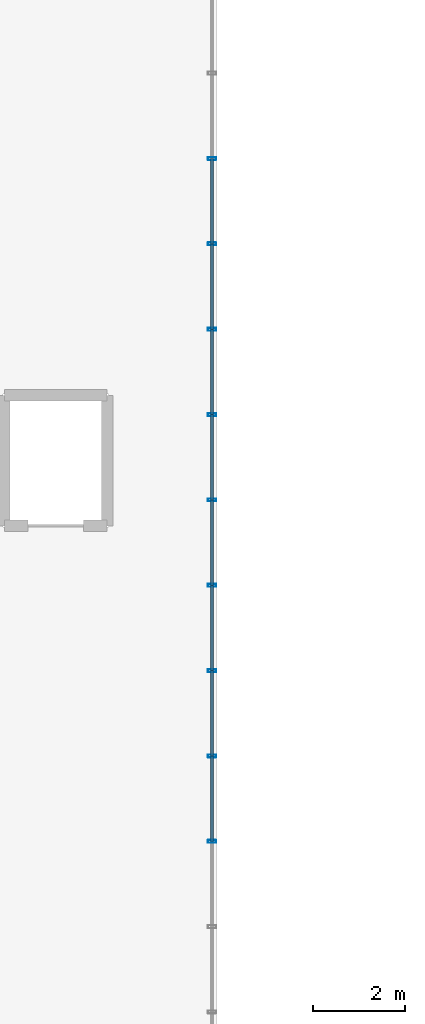
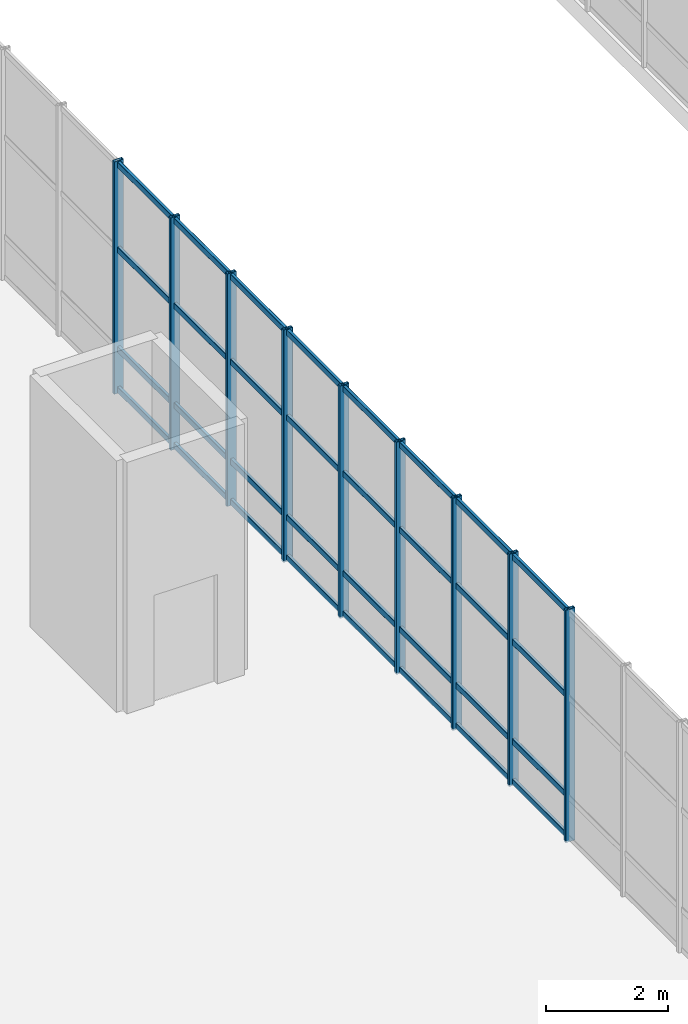
# One storey, part 105 of 176: 41 members, 2 elements without a shape of their own.
"""IFC4 building model written with IfcOpenShell, lengths in metres."""

import ifcopenshell
import ifcopenshell.guid

model = None  # the IFC model being written
_history = None  # IfcOwnerHistory: only IFC2X3 demands one
_inside = {}  # id of a spatial element -> (the spatial element, [elements in it])
_under = {}  # id of a project, library or spatial element -> (it, [spatial elements below it])
_declared = {}  # id of a project -> (the project, [libraries it declares])
_typed = {}  # id of a type object -> (the type object, [elements of that type])
_made_of = {}  # id of a material, layer set ... -> (it, [elements and type objects made of it])


def new_model(schema):
    """Start an empty IFC model of exactly this schema.

    Asked for "IFC4X3", IfcOpenShell would pick the latest addendum, in which some entities
    have other attributes; the version numbers below select the first issue.
    IFC2X3 requires an IfcOwnerHistory on every rooted entity: one is made here for all.
    """
    global model, _history
    if schema == "IFC4X3":
        model = ifcopenshell.file(schema_version=(4, 3, 0, 0))
    else:
        model = ifcopenshell.file(schema=schema)
    _inside.clear()
    _under.clear()
    _declared.clear()
    _typed.clear()
    _made_of.clear()
    _history = None
    if model.schema == "IFC2X3":
        org = make("IfcOrganization", Name="unknown")
        user = make(
            "IfcPersonAndOrganization",
            ThePerson=make("IfcPerson", FamilyName="unknown"),
            TheOrganization=org,
        )
        app = make(
            "IfcApplication",
            ApplicationDeveloper=org,
            Version="unknown",
            ApplicationFullName="unknown",
            ApplicationIdentifier="unknown",
        )
        _history = make(
            "IfcOwnerHistory",
            OwningUser=user,
            OwningApplication=app,
            ChangeAction="ADDED",
            CreationDate=0,
        )
    return model


def make(cls, **values):
    """One entity of the class cls with the attributes given. An attribute that is None is left unset."""
    return model.create_entity(
        cls, **{name: value for name, value in values.items() if value is not None}
    )


def rooted(cls, **values):
    """An entity with a GlobalId (a new one), such as an element, a storey or a relation."""
    return make(cls, GlobalId=ifcopenshell.guid.new(), OwnerHistory=_history, **values)


def si_unit(unit_type, name, prefix=None):
    """IfcSIUnit, for example si_unit("LENGTHUNIT", "METRE", prefix="MILLI")."""
    return make("IfcSIUnit", UnitType=unit_type, Prefix=prefix, Name=name)


def assignment(units):
    """IfcUnitAssignment: the units of a project."""
    return None if units is None else make("IfcUnitAssignment", Units=units)


def point(xyz):
    """IfcCartesianPoint."""
    return None if xyz is None else make("IfcCartesianPoint", Coordinates=xyz)


def direction(xyz):
    """IfcDirection."""
    return None if xyz is None else make("IfcDirection", DirectionRatios=xyz)


def frame(location, z_axis=None, x_axis=None):
    """IfcAxis2Placement3D, a coordinate frame: its origin and axes. An axis left out is left unset."""
    return make(
        "IfcAxis2Placement3D",
        Location=point(location),
        Axis=direction(z_axis),
        RefDirection=direction(x_axis),
    )


def frame_2d(location, x_axis=None):
    """IfcAxis2Placement2D, a coordinate frame in the plane: its origin and x axis."""
    return make(
        "IfcAxis2Placement2D", Location=point(location), RefDirection=direction(x_axis)
    )


def origin():
    """The frame at (0, 0, 0) with its axes left unset."""
    return frame((0.0, 0.0, 0.0))


def origin_2d():
    """The frame at (0, 0) in the plane with its x axis left unset."""
    return frame_2d((0.0, 0.0))


def place(relative_to, where):
    """IfcLocalPlacement: puts the frame where relative to a parent placement (None: the world)."""
    return make(
        "IfcLocalPlacement", PlacementRelTo=relative_to, RelativePlacement=where
    )


def context(
    kind, dimensions, precision=None, world=None, true_north=None, identifier=None
):
    """IfcGeometricRepresentationContext, for example the 3D "Model" context."""
    return make(
        "IfcGeometricRepresentationContext",
        ContextIdentifier=identifier,
        ContextType=kind,
        CoordinateSpaceDimension=dimensions,
        Precision=precision,
        WorldCoordinateSystem=world,
        TrueNorth=true_north,
    )


def subcontext(parent, identifier, kind, view, scale=None):
    """IfcGeometricRepresentationSubContext, for example "Body" below "Model"."""
    return make(
        "IfcGeometricRepresentationSubContext",
        ContextIdentifier=identifier,
        ContextType=kind,
        ParentContext=parent,
        TargetScale=scale,
        TargetView=view,
    )


def project(units=None, contexts=None):
    """IfcProject with its units and contexts."""
    return rooted(
        "IfcProject",
        Name="project",
        RepresentationContexts=contexts,
        UnitsInContext=assignment(units),
    )


def spatial(cls, under=None, at=None, **own):
    """A site, building, storey or space (cls), placed at a placement, below another one or the project."""
    s = rooted(cls, ObjectPlacement=at, **own)
    if under is not None:
        _under.setdefault(under.id(), (under, []))[1].append(s)
    return s


def profile(cls, at=None, kind="AREA", **sizes):
    """A parametric profile (cls). Its sizes go by their IFC names, for example OverallWidth=200.0."""
    return make(cls, ProfileType=kind, Position=at, **sizes)


def hollow_rectangle(**sizes):
    """IfcRectangleHollowProfileDef."""
    return profile("IfcRectangleHollowProfileDef", **sizes)


def extrude(swept, where, along, depth):
    """IfcExtrudedAreaSolid: the profile swept, set in the frame where, extruded along a direction by depth."""
    return make(
        "IfcExtrudedAreaSolid",
        SweptArea=swept,
        Position=where,
        ExtrudedDirection=direction(along),
        Depth=depth,
    )


def shape(context_of_items, identifier, shape_type, items):
    """IfcShapeRepresentation: the items that make up one representation, for example the "Body"."""
    return make(
        "IfcShapeRepresentation",
        ContextOfItems=context_of_items,
        RepresentationIdentifier=identifier,
        RepresentationType=shape_type,
        Items=items,
    )


def material(Name=None, Category=None):
    """IfcMaterial."""
    return make("IfcMaterial", Name=Name, Category=Category)


def layer(
    of_material, thickness, ventilated=None, Name=None, Category=None, Priority=None
):
    """IfcMaterialLayer: one layer of a wall or slab, of a material (None: an air gap)."""
    return make(
        "IfcMaterialLayer",
        Material=of_material,
        LayerThickness=thickness,
        IsVentilated=ventilated,
        Name=Name,
        Category=Category,
        Priority=Priority,
    )


def layer_set(layers, Name=None):
    """IfcMaterialLayerSet."""
    return make("IfcMaterialLayerSet", MaterialLayers=layers, LayerSetName=Name)


def material_profile(
    of_material, cross_section, Name=None, Category=None, Priority=None
):
    """IfcMaterialProfile: a cross section and its material."""
    return make(
        "IfcMaterialProfile",
        Name=Name,
        Material=of_material,
        Profile=cross_section,
        Priority=Priority,
        Category=Category,
    )


def profile_set(profiles, Name=None, composite=None):
    """IfcMaterialProfileSet."""
    return make(
        "IfcMaterialProfileSet",
        Name=Name,
        MaterialProfiles=profiles,
        CompositeProfile=composite,
    )


def made_of(thing, what):
    """Note that an element or type object is made of a material, layer set ...; save() writes the relation."""
    if what is not None:
        _made_of.setdefault(what.id(), (what, []))[1].append(thing)
    return thing


def type_object(cls, material=None, **own):
    """A type object (cls), such as IfcWallType, which elements share."""
    return made_of(rooted(cls, **own), material)


def element(
    cls,
    number,
    at=None,
    inside=None,
    cuts=None,
    type_object=None,
    material=None,
    context=None,
    identifier="Body",
    shape_type=None,
    held_by="IfcProductDefinitionShape",
    body=None,
    shapes=None,
    **own,
):
    """One element of the class cls, such as IfcWall. Its Tag is "e" and its number.

    at: its placement. inside: the storey or other place that contains it. cuts: it is an
    opening in that element (IfcRelVoidsElement). A single representation is given by context,
    identifier, shape_type and body (its items); several are given by shapes. held_by: the class
    of the entity that holds the representations. save() writes the other relations.
    """
    e = rooted(cls, Tag="e%d" % number, ObjectPlacement=at, **own)
    if body is not None:
        shapes = [shape(context, identifier, shape_type, body)]
    if shapes is not None:
        e.Representation = make(held_by, Representations=shapes)
    if inside is not None:
        _inside.setdefault(inside.id(), (inside, []))[1].append(e)
    if cuts is not None:
        rooted(
            "IfcRelVoidsElement", RelatingBuildingElement=cuts, RelatedOpeningElement=e
        )
    if type_object is not None:
        _typed.setdefault(type_object.id(), (type_object, []))[1].append(e)
    return made_of(e, material)


def aggregate(whole, parts):
    """IfcRelAggregates: a whole, such as a stair, and the parts it consists of."""
    return rooted("IfcRelAggregates", RelatingObject=whole, RelatedObjects=parts)


def save(model, path):
    """Write the relations noted so far, then the file.

    IfcRelAggregates (storeys below a building ...), IfcRelContainedInSpatialStructure (elements
    in a storey), IfcRelDefinesByType, IfcRelAssociatesMaterial and IfcRelDeclares: one each for
    every whole, place, type object, material and project.
    """
    for whole, parts in _under.values():
        aggregate(whole, parts)
    for where, things in _inside.values():
        rooted(
            "IfcRelContainedInSpatialStructure",
            RelatedElements=things,
            RelatingStructure=where,
        )
    for kind, things in _typed.values():
        rooted("IfcRelDefinesByType", RelatedObjects=things, RelatingType=kind)
    for what, things in _made_of.values():
        rooted("IfcRelAssociatesMaterial", RelatedObjects=things, RelatingMaterial=what)
    for by, libraries in _declared.values():
        rooted("IfcRelDeclares", RelatingContext=by, RelatedDefinitions=libraries)
    model.write(path)


model = new_model("IFC4")

# Units and contexts
model_context = context("Model", 3, precision=1e-05, world=origin(), true_north=direction((0.0, 1.0)))
body_context = subcontext(model_context, "Body", "Model", "MODEL_VIEW")
ifc_project = project(units=[si_unit("LENGTHUNIT", "METRE"), si_unit("AREAUNIT", "SQUARE_METRE"), si_unit("VOLUMEUNIT", "CUBIC_METRE"), si_unit("PLANEANGLEUNIT", "RADIAN"), si_unit("MASSUNIT", "GRAM", prefix="KILO")], contexts=[model_context])

# Site, building, storey
site_placement = place(None, origin())
site = spatial("IfcSite", under=ifc_project, at=site_placement, CompositionType="ELEMENT")
building_placement = place(site_placement, origin())
building = spatial("IfcBuilding", under=site, at=building_placement, Name="Khorjan Park Terminus", CompositionType="ELEMENT")
storey_placement = place(building_placement, frame((0.0, 0.0, 6.0)))
storey = spatial("IfcBuildingStorey", under=building, at=storey_placement, Name="L01", CompositionType="ELEMENT", Elevation=6.0)

# Curtain wall, members
ifc_material = material(Name="Anodized Bronze Aluminium", Category="aluminium")
ifc_layer = layer(ifc_material, 0.22)
ifc_layer_set = layer_set([ifc_layer], Name="Anodized Bronze Aluminium")
curtain_wall_type = type_object("IfcCurtainWallType", Name="CW-BRG-D", PredefinedType="NOTDEFINED", material=ifc_layer_set)
curtain_wall_1_placement = place(storey_placement, origin())
curtain_wall_1 = element("IfcCurtainWall", 1, at=curtain_wall_1_placement, inside=storey, type_object=curtain_wall_type, Name="Unitized curtain wall CW-D (CW-BRW-E-2)", PredefinedType="NOTDEFINED")
ifc_material_profile_1 = material_profile(ifc_material, hollow_rectangle(XDim=0.065, YDim=0.18, WallThickness=0.004, InnerFilletRadius=0.004, OuterFilletRadius=0.008, at=origin_2d()), Name="ALM 65x180x4")
ifc_profile_set_1 = profile_set([ifc_material_profile_1], Name="Anodized Bronze Aluminium")
member_type_1 = type_object("IfcMemberType", Name="ML-ALM-180", PredefinedType="MULLION", material=ifc_profile_set_1)
member_1_placement = place(storey_placement, frame((85.9, 118.7143, -0.035), z_axis=(0.0, 0.0, 1.0), x_axis=(0.0, 1.0, 0.0)))
member_1 = element("IfcMember", 2, at=member_1_placement, type_object=member_type_1, Name="Curtain-wall mullion ML-18 (CW-BRW-E-2-2)", PredefinedType="MULLION", context=body_context, shape_type="SweptSolid", body=[
    extrude(hollow_rectangle(XDim=0.065, YDim=0.18, WallThickness=0.004, InnerFilletRadius=0.004, OuterFilletRadius=0.008, at=origin_2d()), origin(), (0.0, 0.0, 1.0), 4.67),
])
member_2_placement = place(storey_placement, frame((85.9, 120.5714, -0.035), z_axis=(0.0, 0.0, 1.0), x_axis=(0.0, 1.0, 0.0)))
member_2 = element("IfcMember", 3, at=member_2_placement, type_object=member_type_1, Name="Curtain-wall mullion ML-18 (CW-BRW-E-2-3)", PredefinedType="MULLION", context=body_context, shape_type="SweptSolid", body=[
    extrude(hollow_rectangle(XDim=0.065, YDim=0.18, WallThickness=0.004, InnerFilletRadius=0.004, OuterFilletRadius=0.008, at=origin_2d()), origin(), (0.0, 0.0, 1.0), 4.67),
])
member_3_placement = place(storey_placement, frame((85.9, 122.4286, -0.035), z_axis=(0.0, 0.0, 1.0), x_axis=(0.0, 1.0, 0.0)))
member_3 = element("IfcMember", 4, at=member_3_placement, type_object=member_type_1, Name="Curtain-wall mullion ML-18 (CW-BRW-E-2-4)", PredefinedType="MULLION", context=body_context, shape_type="SweptSolid", body=[
    extrude(hollow_rectangle(XDim=0.065, YDim=0.18, WallThickness=0.004, InnerFilletRadius=0.004, OuterFilletRadius=0.008, at=origin_2d()), origin(), (0.0, 0.0, 1.0), 4.67),
])
member_4_placement = place(storey_placement, frame((85.9, 124.2857, -0.035), z_axis=(0.0, 0.0, 1.0), x_axis=(0.0, 1.0, 0.0)))
member_4 = element("IfcMember", 5, at=member_4_placement, type_object=member_type_1, Name="Curtain-wall mullion ML-18 (CW-BRW-E-2-5)", PredefinedType="MULLION", context=body_context, shape_type="SweptSolid", body=[
    extrude(hollow_rectangle(XDim=0.065, YDim=0.18, WallThickness=0.004, InnerFilletRadius=0.004, OuterFilletRadius=0.008, at=origin_2d()), origin(), (0.0, 0.0, 1.0), 4.67),
])
member_5_placement = place(storey_placement, frame((85.9, 126.1429, -0.035), z_axis=(0.0, 0.0, 1.0), x_axis=(0.0, 1.0, 0.0)))
member_5 = element("IfcMember", 6, at=member_5_placement, type_object=member_type_1, Name="Curtain-wall mullion ML-18 (CW-BRW-E-2-6)", PredefinedType="MULLION", context=body_context, shape_type="SweptSolid", body=[
    extrude(hollow_rectangle(XDim=0.065, YDim=0.18, WallThickness=0.004, InnerFilletRadius=0.004, OuterFilletRadius=0.008, at=origin_2d()), origin(), (0.0, 0.0, 1.0), 4.67),
])
member_6_placement = place(storey_placement, frame((85.9, 128.0, -0.035), z_axis=(0.0, 0.0, 1.0), x_axis=(0.0, 1.0, 0.0)))
member_6 = element("IfcMember", 7, at=member_6_placement, type_object=member_type_1, Name="Curtain-wall mullion ML-18 (CW-BRW-E-2-7)", PredefinedType="MULLION", context=body_context, shape_type="SweptSolid", body=[
    extrude(hollow_rectangle(XDim=0.065, YDim=0.18, WallThickness=0.004, InnerFilletRadius=0.004, OuterFilletRadius=0.008, at=origin_2d()), origin(), (0.0, 0.0, 1.0), 4.67),
])

curtain_wall_2_placement = place(storey_placement, origin())
curtain_wall_2 = element("IfcCurtainWall", 8, at=curtain_wall_2_placement, inside=storey, type_object=curtain_wall_type, Name="Unitized curtain wall CW-D (CW-BRW-E-3)", PredefinedType="NOTDEFINED")
member_7_placement = place(storey_placement, frame((85.9, 129.8571, -0.035), z_axis=(0.0, 0.0, 1.0), x_axis=(0.0, 1.0, 0.0)))
member_7 = element("IfcMember", 9, at=member_7_placement, type_object=member_type_1, Name="Curtain-wall mullion ML-18 (CW-BRW-E-3-1)", PredefinedType="MULLION", context=body_context, shape_type="SweptSolid", body=[
    extrude(hollow_rectangle(XDim=0.065, YDim=0.18, WallThickness=0.004, InnerFilletRadius=0.004, OuterFilletRadius=0.008, at=origin_2d()), origin(), (0.0, 0.0, 1.0), 4.67),
])
member_8_placement = place(storey_placement, frame((85.9, 131.7143, -0.035), z_axis=(0.0, 0.0, 1.0), x_axis=(0.0, 1.0, 0.0)))
member_8 = element("IfcMember", 10, at=member_8_placement, type_object=member_type_1, Name="Curtain-wall mullion ML-18 (CW-BRW-E-3-2)", PredefinedType="MULLION", context=body_context, shape_type="SweptSolid", body=[
    extrude(hollow_rectangle(XDim=0.065, YDim=0.18, WallThickness=0.004, InnerFilletRadius=0.004, OuterFilletRadius=0.008, at=origin_2d()), origin(), (0.0, 0.0, 1.0), 4.67),
])
member_9_placement = place(storey_placement, frame((85.9, 133.5714, -0.035), z_axis=(0.0, 0.0, 1.0), x_axis=(0.0, 1.0, 0.0)))
member_9 = element("IfcMember", 11, at=member_9_placement, type_object=member_type_1, Name="Curtain-wall mullion ML-18 (CW-BRW-E-3-3)", PredefinedType="MULLION", context=body_context, shape_type="SweptSolid", body=[
    extrude(hollow_rectangle(XDim=0.065, YDim=0.18, WallThickness=0.004, InnerFilletRadius=0.004, OuterFilletRadius=0.008, at=origin_2d()), origin(), (0.0, 0.0, 1.0), 4.67),
])

# Member
ifc_material_profile_2 = material_profile(ifc_material, hollow_rectangle(XDim=0.06, YDim=0.12, WallThickness=0.004, InnerFilletRadius=0.004, OuterFilletRadius=0.008, at=origin_2d()), Name="ALT 60x120x4")
ifc_profile_set_2 = profile_set([ifc_material_profile_2], Name="Anodized Bronze Aluminium")
member_type_2 = type_object("IfcMemberType", Name="TR-ALT-120", PredefinedType="USERDEFINED", material=ifc_profile_set_2)
member_10_placement = place(storey_placement, frame((85.9, 118.7143, 0.04), z_axis=(0.0, 1.0, 0.0), x_axis=(-1.0, 0.0, 0.0)))
member_10 = element("IfcMember", 12, at=member_10_placement, type_object=member_type_2, Name="Curtain-wall transom TR-12 (CW-BRW-E-2-2-1)", ObjectType="TRANSOM", PredefinedType="USERDEFINED", context=body_context, shape_type="SweptSolid", body=[
    extrude(hollow_rectangle(XDim=0.06, YDim=0.12, WallThickness=0.004, InnerFilletRadius=0.004, OuterFilletRadius=0.008, at=origin_2d()), origin(), (0.0, 0.0, 1.0), 1.8571),
])

member_11_placement = place(storey_placement, frame((85.9, 118.7143, 0.85), z_axis=(0.0, 1.0, 0.0), x_axis=(-1.0, 0.0, 0.0)))
member_11 = element("IfcMember", 13, at=member_11_placement, type_object=member_type_2, Name="Curtain-wall transom TR-12 (CW-BRW-E-2-2-2)", ObjectType="TRANSOM", PredefinedType="USERDEFINED", context=body_context, shape_type="SweptSolid", body=[
    extrude(hollow_rectangle(XDim=0.06, YDim=0.12, WallThickness=0.004, InnerFilletRadius=0.004, OuterFilletRadius=0.008, at=origin_2d()), origin(), (0.0, 0.0, 1.0), 1.8571),
])

member_12_placement = place(storey_placement, frame((85.9, 118.7143, 2.852), z_axis=(0.0, 1.0, 0.0), x_axis=(-1.0, 0.0, 0.0)))
member_12 = element("IfcMember", 14, at=member_12_placement, type_object=member_type_2, Name="Curtain-wall transom TR-12 (CW-BRW-E-2-2-3)", ObjectType="TRANSOM", PredefinedType="USERDEFINED", context=body_context, shape_type="SweptSolid", body=[
    extrude(hollow_rectangle(XDim=0.06, YDim=0.12, WallThickness=0.004, InnerFilletRadius=0.004, OuterFilletRadius=0.008, at=origin_2d()), origin(), (0.0, 0.0, 1.0), 1.8571),
])

member_13_placement = place(storey_placement, frame((85.9, 118.7143, 4.56), z_axis=(0.0, 1.0, 0.0), x_axis=(-1.0, 0.0, 0.0)))
member_13 = element("IfcMember", 15, at=member_13_placement, type_object=member_type_2, Name="Curtain-wall transom TR-12 (CW-BRW-E-2-2-4)", ObjectType="TRANSOM", PredefinedType="USERDEFINED", context=body_context, shape_type="SweptSolid", body=[
    extrude(hollow_rectangle(XDim=0.06, YDim=0.12, WallThickness=0.004, InnerFilletRadius=0.004, OuterFilletRadius=0.008, at=origin_2d()), origin(), (0.0, 0.0, 1.0), 1.8571),
])

member_14_placement = place(storey_placement, frame((85.9, 120.5714, 0.04), z_axis=(0.0, 1.0, 0.0), x_axis=(-1.0, 0.0, 0.0)))
member_14 = element("IfcMember", 16, at=member_14_placement, type_object=member_type_2, Name="Curtain-wall transom TR-12 (CW-BRW-E-2-3-1)", ObjectType="TRANSOM", PredefinedType="USERDEFINED", context=body_context, shape_type="SweptSolid", body=[
    extrude(hollow_rectangle(XDim=0.06, YDim=0.12, WallThickness=0.004, InnerFilletRadius=0.004, OuterFilletRadius=0.008, at=origin_2d()), origin(), (0.0, 0.0, 1.0), 1.8572),
])

member_15_placement = place(storey_placement, frame((85.9, 120.5714, 0.85), z_axis=(0.0, 1.0, 0.0), x_axis=(-1.0, 0.0, 0.0)))
member_15 = element("IfcMember", 17, at=member_15_placement, type_object=member_type_2, Name="Curtain-wall transom TR-12 (CW-BRW-E-2-3-2)", ObjectType="TRANSOM", PredefinedType="USERDEFINED", context=body_context, shape_type="SweptSolid", body=[
    extrude(hollow_rectangle(XDim=0.06, YDim=0.12, WallThickness=0.004, InnerFilletRadius=0.004, OuterFilletRadius=0.008, at=origin_2d()), origin(), (0.0, 0.0, 1.0), 1.8572),
])

member_16_placement = place(storey_placement, frame((85.9, 120.5714, 2.852), z_axis=(0.0, 1.0, 0.0), x_axis=(-1.0, 0.0, 0.0)))
member_16 = element("IfcMember", 18, at=member_16_placement, type_object=member_type_2, Name="Curtain-wall transom TR-12 (CW-BRW-E-2-3-3)", ObjectType="TRANSOM", PredefinedType="USERDEFINED", context=body_context, shape_type="SweptSolid", body=[
    extrude(hollow_rectangle(XDim=0.06, YDim=0.12, WallThickness=0.004, InnerFilletRadius=0.004, OuterFilletRadius=0.008, at=origin_2d()), origin(), (0.0, 0.0, 1.0), 1.8572),
])

member_17_placement = place(storey_placement, frame((85.9, 120.5714, 4.56), z_axis=(0.0, 1.0, 0.0), x_axis=(-1.0, 0.0, 0.0)))
member_17 = element("IfcMember", 19, at=member_17_placement, type_object=member_type_2, Name="Curtain-wall transom TR-12 (CW-BRW-E-2-3-4)", ObjectType="TRANSOM", PredefinedType="USERDEFINED", context=body_context, shape_type="SweptSolid", body=[
    extrude(hollow_rectangle(XDim=0.06, YDim=0.12, WallThickness=0.004, InnerFilletRadius=0.004, OuterFilletRadius=0.008, at=origin_2d()), origin(), (0.0, 0.0, 1.0), 1.8572),
])

member_18_placement = place(storey_placement, frame((85.9, 122.4286, 0.04), z_axis=(0.0, 1.0, 0.0), x_axis=(-1.0, 0.0, 0.0)))
member_18 = element("IfcMember", 20, at=member_18_placement, type_object=member_type_2, Name="Curtain-wall transom TR-12 (CW-BRW-E-2-4-1)", ObjectType="TRANSOM", PredefinedType="USERDEFINED", context=body_context, shape_type="SweptSolid", body=[
    extrude(hollow_rectangle(XDim=0.06, YDim=0.12, WallThickness=0.004, InnerFilletRadius=0.004, OuterFilletRadius=0.008, at=origin_2d()), origin(), (0.0, 0.0, 1.0), 1.8571),
])

member_19_placement = place(storey_placement, frame((85.9, 122.4286, 0.85), z_axis=(0.0, 1.0, 0.0), x_axis=(-1.0, 0.0, 0.0)))
member_19 = element("IfcMember", 21, at=member_19_placement, type_object=member_type_2, Name="Curtain-wall transom TR-12 (CW-BRW-E-2-4-2)", ObjectType="TRANSOM", PredefinedType="USERDEFINED", context=body_context, shape_type="SweptSolid", body=[
    extrude(hollow_rectangle(XDim=0.06, YDim=0.12, WallThickness=0.004, InnerFilletRadius=0.004, OuterFilletRadius=0.008, at=origin_2d()), origin(), (0.0, 0.0, 1.0), 1.8571),
])

member_20_placement = place(storey_placement, frame((85.9, 122.4286, 2.852), z_axis=(0.0, 1.0, 0.0), x_axis=(-1.0, 0.0, 0.0)))
member_20 = element("IfcMember", 22, at=member_20_placement, type_object=member_type_2, Name="Curtain-wall transom TR-12 (CW-BRW-E-2-4-3)", ObjectType="TRANSOM", PredefinedType="USERDEFINED", context=body_context, shape_type="SweptSolid", body=[
    extrude(hollow_rectangle(XDim=0.06, YDim=0.12, WallThickness=0.004, InnerFilletRadius=0.004, OuterFilletRadius=0.008, at=origin_2d()), origin(), (0.0, 0.0, 1.0), 1.8571),
])

member_21_placement = place(storey_placement, frame((85.9, 122.4286, 4.56), z_axis=(0.0, 1.0, 0.0), x_axis=(-1.0, 0.0, 0.0)))
member_21 = element("IfcMember", 23, at=member_21_placement, type_object=member_type_2, Name="Curtain-wall transom TR-12 (CW-BRW-E-2-4-4)", ObjectType="TRANSOM", PredefinedType="USERDEFINED", context=body_context, shape_type="SweptSolid", body=[
    extrude(hollow_rectangle(XDim=0.06, YDim=0.12, WallThickness=0.004, InnerFilletRadius=0.004, OuterFilletRadius=0.008, at=origin_2d()), origin(), (0.0, 0.0, 1.0), 1.8571),
])

member_22_placement = place(storey_placement, frame((85.9, 124.2857, 0.04), z_axis=(0.0, 1.0, 0.0), x_axis=(-1.0, 0.0, 0.0)))
member_22 = element("IfcMember", 24, at=member_22_placement, type_object=member_type_2, Name="Curtain-wall transom TR-12 (CW-BRW-E-2-5-1)", ObjectType="TRANSOM", PredefinedType="USERDEFINED", context=body_context, shape_type="SweptSolid", body=[
    extrude(hollow_rectangle(XDim=0.06, YDim=0.12, WallThickness=0.004, InnerFilletRadius=0.004, OuterFilletRadius=0.008, at=origin_2d()), origin(), (0.0, 0.0, 1.0), 1.8572),
])

member_23_placement = place(storey_placement, frame((85.9, 124.2857, 0.85), z_axis=(0.0, 1.0, 0.0), x_axis=(-1.0, 0.0, 0.0)))
member_23 = element("IfcMember", 25, at=member_23_placement, type_object=member_type_2, Name="Curtain-wall transom TR-12 (CW-BRW-E-2-5-2)", ObjectType="TRANSOM", PredefinedType="USERDEFINED", context=body_context, shape_type="SweptSolid", body=[
    extrude(hollow_rectangle(XDim=0.06, YDim=0.12, WallThickness=0.004, InnerFilletRadius=0.004, OuterFilletRadius=0.008, at=origin_2d()), origin(), (0.0, 0.0, 1.0), 1.8572),
])

member_24_placement = place(storey_placement, frame((85.9, 124.2857, 2.852), z_axis=(0.0, 1.0, 0.0), x_axis=(-1.0, 0.0, 0.0)))
member_24 = element("IfcMember", 26, at=member_24_placement, type_object=member_type_2, Name="Curtain-wall transom TR-12 (CW-BRW-E-2-5-3)", ObjectType="TRANSOM", PredefinedType="USERDEFINED", context=body_context, shape_type="SweptSolid", body=[
    extrude(hollow_rectangle(XDim=0.06, YDim=0.12, WallThickness=0.004, InnerFilletRadius=0.004, OuterFilletRadius=0.008, at=origin_2d()), origin(), (0.0, 0.0, 1.0), 1.8572),
])

member_25_placement = place(storey_placement, frame((85.9, 124.2857, 4.56), z_axis=(0.0, 1.0, 0.0), x_axis=(-1.0, 0.0, 0.0)))
member_25 = element("IfcMember", 27, at=member_25_placement, type_object=member_type_2, Name="Curtain-wall transom TR-12 (CW-BRW-E-2-5-4)", ObjectType="TRANSOM", PredefinedType="USERDEFINED", context=body_context, shape_type="SweptSolid", body=[
    extrude(hollow_rectangle(XDim=0.06, YDim=0.12, WallThickness=0.004, InnerFilletRadius=0.004, OuterFilletRadius=0.008, at=origin_2d()), origin(), (0.0, 0.0, 1.0), 1.8572),
])

member_26_placement = place(storey_placement, frame((85.9, 126.1429, 0.04), z_axis=(0.0, 1.0, 0.0), x_axis=(-1.0, 0.0, 0.0)))
member_26 = element("IfcMember", 28, at=member_26_placement, type_object=member_type_2, Name="Curtain-wall transom TR-12 (CW-BRW-E-2-6-1)", ObjectType="TRANSOM", PredefinedType="USERDEFINED", context=body_context, shape_type="SweptSolid", body=[
    extrude(hollow_rectangle(XDim=0.06, YDim=0.12, WallThickness=0.004, InnerFilletRadius=0.004, OuterFilletRadius=0.008, at=origin_2d()), origin(), (0.0, 0.0, 1.0), 1.8571),
])

member_27_placement = place(storey_placement, frame((85.9, 126.1429, 0.85), z_axis=(0.0, 1.0, 0.0), x_axis=(-1.0, 0.0, 0.0)))
member_27 = element("IfcMember", 29, at=member_27_placement, type_object=member_type_2, Name="Curtain-wall transom TR-12 (CW-BRW-E-2-6-2)", ObjectType="TRANSOM", PredefinedType="USERDEFINED", context=body_context, shape_type="SweptSolid", body=[
    extrude(hollow_rectangle(XDim=0.06, YDim=0.12, WallThickness=0.004, InnerFilletRadius=0.004, OuterFilletRadius=0.008, at=origin_2d()), origin(), (0.0, 0.0, 1.0), 1.8571),
])

member_28_placement = place(storey_placement, frame((85.9, 126.1429, 2.852), z_axis=(0.0, 1.0, 0.0), x_axis=(-1.0, 0.0, 0.0)))
member_28 = element("IfcMember", 30, at=member_28_placement, type_object=member_type_2, Name="Curtain-wall transom TR-12 (CW-BRW-E-2-6-3)", ObjectType="TRANSOM", PredefinedType="USERDEFINED", context=body_context, shape_type="SweptSolid", body=[
    extrude(hollow_rectangle(XDim=0.06, YDim=0.12, WallThickness=0.004, InnerFilletRadius=0.004, OuterFilletRadius=0.008, at=origin_2d()), origin(), (0.0, 0.0, 1.0), 1.8571),
])

member_29_placement = place(storey_placement, frame((85.9, 126.1429, 4.56), z_axis=(0.0, 1.0, 0.0), x_axis=(-1.0, 0.0, 0.0)))
member_29 = element("IfcMember", 31, at=member_29_placement, type_object=member_type_2, Name="Curtain-wall transom TR-12 (CW-BRW-E-2-6-4)", ObjectType="TRANSOM", PredefinedType="USERDEFINED", context=body_context, shape_type="SweptSolid", body=[
    extrude(hollow_rectangle(XDim=0.06, YDim=0.12, WallThickness=0.004, InnerFilletRadius=0.004, OuterFilletRadius=0.008, at=origin_2d()), origin(), (0.0, 0.0, 1.0), 1.8571),
])

aggregate(curtain_wall_1, [member_1, member_2, member_3, member_4, member_5, member_6, member_10, member_11, member_12, member_13, member_14, member_15, member_16, member_17, member_18, member_19, member_20, member_21, member_22, member_23, member_24, member_25, member_26, member_27, member_28, member_29])

member_30_placement = place(storey_placement, frame((85.9, 128.0, 0.04), z_axis=(0.0, 1.0, 0.0), x_axis=(-1.0, 0.0, 0.0)))
member_30 = element("IfcMember", 32, at=member_30_placement, type_object=member_type_2, Name="Curtain-wall transom TR-12 (CW-BRW-E-3-0-1)", ObjectType="TRANSOM", PredefinedType="USERDEFINED", context=body_context, shape_type="SweptSolid", body=[
    extrude(hollow_rectangle(XDim=0.06, YDim=0.12, WallThickness=0.004, InnerFilletRadius=0.004, OuterFilletRadius=0.008, at=origin_2d()), origin(), (0.0, 0.0, 1.0), 1.8571),
])

member_31_placement = place(storey_placement, frame((85.9, 128.0, 0.85), z_axis=(0.0, 1.0, 0.0), x_axis=(-1.0, 0.0, 0.0)))
member_31 = element("IfcMember", 33, at=member_31_placement, type_object=member_type_2, Name="Curtain-wall transom TR-12 (CW-BRW-E-3-0-2)", ObjectType="TRANSOM", PredefinedType="USERDEFINED", context=body_context, shape_type="SweptSolid", body=[
    extrude(hollow_rectangle(XDim=0.06, YDim=0.12, WallThickness=0.004, InnerFilletRadius=0.004, OuterFilletRadius=0.008, at=origin_2d()), origin(), (0.0, 0.0, 1.0), 1.8571),
])

member_32_placement = place(storey_placement, frame((85.9, 128.0, 2.852), z_axis=(0.0, 1.0, 0.0), x_axis=(-1.0, 0.0, 0.0)))
member_32 = element("IfcMember", 34, at=member_32_placement, type_object=member_type_2, Name="Curtain-wall transom TR-12 (CW-BRW-E-3-0-3)", ObjectType="TRANSOM", PredefinedType="USERDEFINED", context=body_context, shape_type="SweptSolid", body=[
    extrude(hollow_rectangle(XDim=0.06, YDim=0.12, WallThickness=0.004, InnerFilletRadius=0.004, OuterFilletRadius=0.008, at=origin_2d()), origin(), (0.0, 0.0, 1.0), 1.8571),
])

member_33_placement = place(storey_placement, frame((85.9, 128.0, 4.56), z_axis=(0.0, 1.0, 0.0), x_axis=(-1.0, 0.0, 0.0)))
member_33 = element("IfcMember", 35, at=member_33_placement, type_object=member_type_2, Name="Curtain-wall transom TR-12 (CW-BRW-E-3-0-4)", ObjectType="TRANSOM", PredefinedType="USERDEFINED", context=body_context, shape_type="SweptSolid", body=[
    extrude(hollow_rectangle(XDim=0.06, YDim=0.12, WallThickness=0.004, InnerFilletRadius=0.004, OuterFilletRadius=0.008, at=origin_2d()), origin(), (0.0, 0.0, 1.0), 1.8571),
])

member_34_placement = place(storey_placement, frame((85.9, 129.8571, 0.04), z_axis=(0.0, 1.0, 0.0), x_axis=(-1.0, 0.0, 0.0)))
member_34 = element("IfcMember", 36, at=member_34_placement, type_object=member_type_2, Name="Curtain-wall transom TR-12 (CW-BRW-E-3-1-1)", ObjectType="TRANSOM", PredefinedType="USERDEFINED", context=body_context, shape_type="SweptSolid", body=[
    extrude(hollow_rectangle(XDim=0.06, YDim=0.12, WallThickness=0.004, InnerFilletRadius=0.004, OuterFilletRadius=0.008, at=origin_2d()), origin(), (0.0, 0.0, 1.0), 1.8572),
])

member_35_placement = place(storey_placement, frame((85.9, 129.8571, 0.85), z_axis=(0.0, 1.0, 0.0), x_axis=(-1.0, 0.0, 0.0)))
member_35 = element("IfcMember", 37, at=member_35_placement, type_object=member_type_2, Name="Curtain-wall transom TR-12 (CW-BRW-E-3-1-2)", ObjectType="TRANSOM", PredefinedType="USERDEFINED", context=body_context, shape_type="SweptSolid", body=[
    extrude(hollow_rectangle(XDim=0.06, YDim=0.12, WallThickness=0.004, InnerFilletRadius=0.004, OuterFilletRadius=0.008, at=origin_2d()), origin(), (0.0, 0.0, 1.0), 1.8572),
])

member_36_placement = place(storey_placement, frame((85.9, 129.8571, 2.852), z_axis=(0.0, 1.0, 0.0), x_axis=(-1.0, 0.0, 0.0)))
member_36 = element("IfcMember", 38, at=member_36_placement, type_object=member_type_2, Name="Curtain-wall transom TR-12 (CW-BRW-E-3-1-3)", ObjectType="TRANSOM", PredefinedType="USERDEFINED", context=body_context, shape_type="SweptSolid", body=[
    extrude(hollow_rectangle(XDim=0.06, YDim=0.12, WallThickness=0.004, InnerFilletRadius=0.004, OuterFilletRadius=0.008, at=origin_2d()), origin(), (0.0, 0.0, 1.0), 1.8572),
])

member_37_placement = place(storey_placement, frame((85.9, 129.8571, 4.56), z_axis=(0.0, 1.0, 0.0), x_axis=(-1.0, 0.0, 0.0)))
member_37 = element("IfcMember", 39, at=member_37_placement, type_object=member_type_2, Name="Curtain-wall transom TR-12 (CW-BRW-E-3-1-4)", ObjectType="TRANSOM", PredefinedType="USERDEFINED", context=body_context, shape_type="SweptSolid", body=[
    extrude(hollow_rectangle(XDim=0.06, YDim=0.12, WallThickness=0.004, InnerFilletRadius=0.004, OuterFilletRadius=0.008, at=origin_2d()), origin(), (0.0, 0.0, 1.0), 1.8572),
])

member_38_placement = place(storey_placement, frame((85.9, 131.7143, 0.04), z_axis=(0.0, 1.0, 0.0), x_axis=(-1.0, 0.0, 0.0)))
member_38 = element("IfcMember", 40, at=member_38_placement, type_object=member_type_2, Name="Curtain-wall transom TR-12 (CW-BRW-E-3-2-1)", ObjectType="TRANSOM", PredefinedType="USERDEFINED", context=body_context, shape_type="SweptSolid", body=[
    extrude(hollow_rectangle(XDim=0.06, YDim=0.12, WallThickness=0.004, InnerFilletRadius=0.004, OuterFilletRadius=0.008, at=origin_2d()), origin(), (0.0, 0.0, 1.0), 1.8571),
])

member_39_placement = place(storey_placement, frame((85.9, 131.7143, 0.85), z_axis=(0.0, 1.0, 0.0), x_axis=(-1.0, 0.0, 0.0)))
member_39 = element("IfcMember", 41, at=member_39_placement, type_object=member_type_2, Name="Curtain-wall transom TR-12 (CW-BRW-E-3-2-2)", ObjectType="TRANSOM", PredefinedType="USERDEFINED", context=body_context, shape_type="SweptSolid", body=[
    extrude(hollow_rectangle(XDim=0.06, YDim=0.12, WallThickness=0.004, InnerFilletRadius=0.004, OuterFilletRadius=0.008, at=origin_2d()), origin(), (0.0, 0.0, 1.0), 1.8571),
])

member_40_placement = place(storey_placement, frame((85.9, 131.7143, 2.852), z_axis=(0.0, 1.0, 0.0), x_axis=(-1.0, 0.0, 0.0)))
member_40 = element("IfcMember", 42, at=member_40_placement, type_object=member_type_2, Name="Curtain-wall transom TR-12 (CW-BRW-E-3-2-3)", ObjectType="TRANSOM", PredefinedType="USERDEFINED", context=body_context, shape_type="SweptSolid", body=[
    extrude(hollow_rectangle(XDim=0.06, YDim=0.12, WallThickness=0.004, InnerFilletRadius=0.004, OuterFilletRadius=0.008, at=origin_2d()), origin(), (0.0, 0.0, 1.0), 1.8571),
])

member_41_placement = place(storey_placement, frame((85.9, 131.7143, 4.56), z_axis=(0.0, 1.0, 0.0), x_axis=(-1.0, 0.0, 0.0)))
member_41 = element("IfcMember", 43, at=member_41_placement, type_object=member_type_2, Name="Curtain-wall transom TR-12 (CW-BRW-E-3-2-4)", ObjectType="TRANSOM", PredefinedType="USERDEFINED", context=body_context, shape_type="SweptSolid", body=[
    extrude(hollow_rectangle(XDim=0.06, YDim=0.12, WallThickness=0.004, InnerFilletRadius=0.004, OuterFilletRadius=0.008, at=origin_2d()), origin(), (0.0, 0.0, 1.0), 1.8571),
])

aggregate(curtain_wall_2, [member_7, member_8, member_9, member_30, member_31, member_32, member_33, member_34, member_35, member_36, member_37, member_38, member_39, member_40, member_41])

save(model, "model.ifc")
